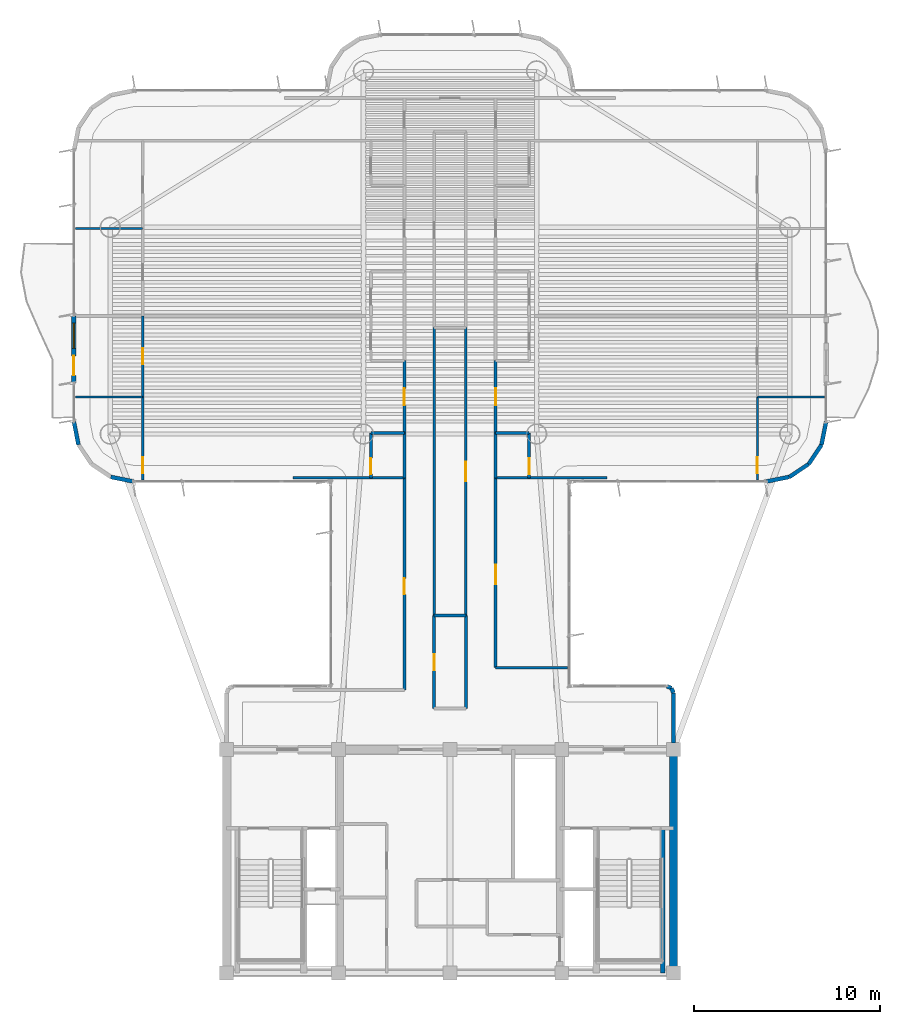
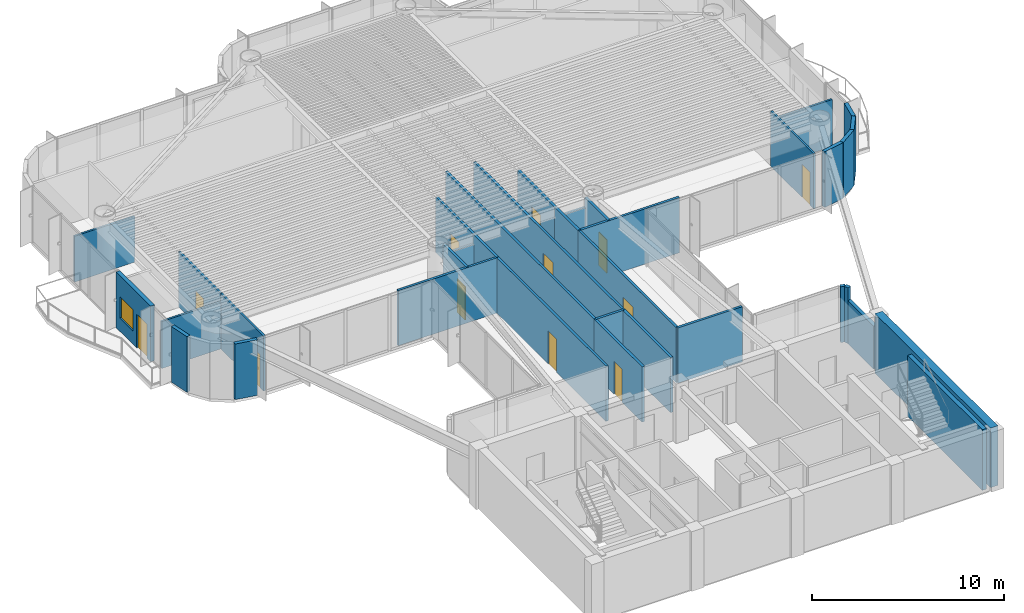
# One storey, part 10 of 15: 36 walls, 12 doors, 1 window, 13 openings.
"""IFC4 building model written with IfcOpenShell, lengths in metres."""

from ifc_helpers import new_model, si_unit, direction, frame, frame_2d, origin, origin_2d, place, context, subcontext, project, spatial, rectangle, extrude, source, transform, mapped, material, layer, layer_set, type_object, element, fill, save


model = new_model("IFC4")

# Units and contexts
model_context = context("Model", 3, precision=1e-05, world=origin(), true_north=direction((0.0, 1.0)))
body_context = subcontext(model_context, "Body", "Model", "MODEL_VIEW")
ifc_project = project(units=[si_unit("LENGTHUNIT", "METRE"), si_unit("AREAUNIT", "SQUARE_METRE"), si_unit("VOLUMEUNIT", "CUBIC_METRE"), si_unit("PLANEANGLEUNIT", "RADIAN"), si_unit("MASSUNIT", "GRAM", prefix="KILO")], contexts=[model_context])

# Site, building, storey
site_placement = place(None, origin())
site = spatial("IfcSite", under=ifc_project, at=site_placement, CompositionType="ELEMENT")
building_placement = place(site_placement, origin())
building = spatial("IfcBuilding", under=site, at=building_placement, Name="Brelvock Crest Care Tower", CompositionType="ELEMENT")
storey_placement = place(building_placement, frame((0.0, 0.0, 163.97998046875)))
storey = spatial("IfcBuildingStorey", under=building, at=storey_placement, Name="L41", CompositionType="ELEMENT", Elevation=163.97998046875)

# Walls
ifc_material_1 = material(Name="Concrete S65 (65 MPa)", Category="concrete")
ifc_layer_1 = layer(ifc_material_1, 0.449951171875, Name="WL-CS3")
ifc_layer_set_1 = layer_set([ifc_layer_1], Name="Concrete S65 (65 MPa)")
wall_type_1 = type_object("IfcWallType", Name="WL-CS3", PredefinedType="SHEAR", material=ifc_layer_set_1)
wall_1_placement = place(storey_placement, frame((48.0, 18.0, 0.0), z_axis=(0.0, 0.0, 1.0), x_axis=(0.0, -1.0, 0.0)))
element("IfcWall", 1, at=wall_1_placement, inside=storey, type_object=wall_type_1, Name="L41 Core East Shear Wall", PredefinedType="SHEAR", context=body_context, shape_type="SweptSolid", body=[
    extrude(rectangle(XDim=12.0, YDim=0.449951171875, at=frame_2d((6.0, 0.0))), origin(), (0.0, 0.0, 1.0), 3.780029296875),
])
ifc_material_2 = material(Name="Concrete S80 (80 MPa)", Category="concrete")
ifc_layer_2 = layer(ifc_material_2, 0.25, Name="WL-CS6")
ifc_layer_set_2 = layer_set([ifc_layer_2], Name="Concrete S80 (80 MPa)")
wall_type_2 = type_object("IfcWallType", Name="WL-CS6", PredefinedType="SHEAR", material=ifc_layer_set_2)
wall_2_placement = place(storey_placement, frame((47.419921875, 6.0, 0.0), z_axis=(0.0, 0.0, 1.0), x_axis=(0.0, 1.0, 0.0)))
element("IfcWall", 2, at=wall_2_placement, inside=storey, type_object=wall_type_2, Name="L41 Core Stair ST-2 East Shear Wall", PredefinedType="SHEAR", context=body_context, shape_type="SweptSolid", body=[
    extrude(rectangle(XDim=7.780029296875, YDim=0.25, at=frame_2d((3.89013671875, 0.0))), origin(), (0.0, 0.0, 1.0), 3.85009765625),
])

# Wall, openings, door, window
ifc_material_3 = material(Name="Precast concrete N40 (40 MPa)", Category="concrete")
ifc_layer_3 = layer(ifc_material_3, 0.239990234375, Name="WL-EX1")
ifc_layer_set_3 = layer_set([ifc_layer_3], Name="Precast concrete N40 (40 MPa)")
wall_type_3 = type_object("IfcWallType", Name="WL-EX1", PredefinedType="SOLIDWALL", material=ifc_layer_set_3)
wall_3_placement = place(storey_placement, frame((15.800048828125, 37.699951171875, 0.0), z_axis=(0.0, 0.0, 1.0), x_axis=(0.0, 1.0, 0.0)))
wall_3 = element("IfcWall", 3, at=wall_3_placement, inside=storey, type_object=wall_type_3, Name="L41 Exterior Spandrel Wall WL-BAL-L41-W", PredefinedType="SOLIDWALL", context=body_context, shape_type="SweptSolid", body=[
    extrude(rectangle(XDim=3.60009765625, YDim=0.239990234375, at=frame_2d((1.800048828125, 0.0))), origin(), (0.0, 0.0, 1.0), 3.530029296875),
])
opening_1_placement = place(wall_3_placement, frame((0.39990234375, 0.0, 0.0)))
opening_1 = element("IfcOpeningElement", 4, at=opening_1_placement, cuts=wall_3, Name="Opening BD-1", PredefinedType="OPENING", context=body_context, shape_type="SweptSolid", body=[
    extrude(rectangle(XDim=1.050048828125, YDim=2.14990234375, at=origin_2d()), frame((0.52490234375, 0.1298828125, 1.074951171875), z_axis=(0.0, -1.0, 0.0), x_axis=(1.0, 0.0, 0.0)), (0.0, 0.0, 1.0), 0.260009765625),
])
opening_2_placement = place(wall_3_placement, frame((1.85009765625, 0.0, 0.85009765625)))
opening_2 = element("IfcOpeningElement", 5, at=opening_2_placement, cuts=wall_3, Name="Opening W-01", PredefinedType="OPENING", context=body_context, shape_type="SweptSolid", body=[
    extrude(rectangle(XDim=1.35009765625, YDim=1.35009765625, at=origin_2d()), frame((0.675048828125, 0.1298828125, 0.675048828125), z_axis=(0.0, -1.0, 0.0), x_axis=(1.0, 0.0, 0.0)), (0.0, 0.0, 1.0), 0.260009765625),
])
ifc_material_4 = material(Name="Dark Glass Double Glazed Low-E", Category="glass")
door_type_1 = type_object("IfcDoorType", Name="DR-BAL1", OperationType="NOTDEFINED", PredefinedType="DOOR", material=ifc_material_4)
shared_shape_1 = source(origin(), body_context, "Body", "SweptSolid", [
    extrude(rectangle(XDim=1.050048828125, YDim=2.14990234375, at=origin_2d()), frame((0.52490234375, 0.02490234375, 1.074951171875), z_axis=(0.0, -1.0, 0.0), x_axis=(1.0, 0.0, 0.0)), (0.0, 0.0, 1.0), 0.050048828125),
])
door_1_placement = place(opening_1_placement, origin())
door_1 = element("IfcDoor", 6, at=door_1_placement, inside=storey, type_object=door_type_1, Name="L41 W Wave Balcony Glazed Door", OperationType="SINGLE_SWING_LEFT", OverallHeight=2.14990234375, OverallWidth=1.050048828125, PredefinedType="DOOR", context=body_context, shape_type="MappedRepresentation", body=[
    mapped(shared_shape_1, transform((0.0, 0.0, 0.0), x_axis=(1.0, 0.0, 0.0), y_axis=(0.0, 1.0, 0.0), z_axis=(0.0, 0.0, 1.0), scale=1.0)),
])
fill(opening_1, door_1)
window_type = type_object("IfcWindowType", Name="WN-EX1", PartitioningType="SINGLE_PANEL", PredefinedType="WINDOW", material=ifc_material_4)
shared_shape_2 = source(origin(), body_context, "Body", "SweptSolid", [
    extrude(rectangle(XDim=1.35009765625, YDim=1.35009765625, at=origin_2d()), frame((0.675048828125, 0.030029296875, 0.675048828125), z_axis=(0.0, -1.0, 0.0), x_axis=(1.0, 0.0, 0.0)), (0.0, 0.0, 1.0), 0.06005859375),
])
window_placement = place(opening_2_placement, origin())
window = element("IfcWindow", 7, at=window_placement, inside=storey, type_object=window_type, Name="L41 W Suite Casement Window", OverallHeight=1.35009765625, OverallWidth=1.35009765625, PartitioningType="SINGLE_PANEL", PredefinedType="WINDOW", context=body_context, shape_type="MappedRepresentation", body=[
    mapped(shared_shape_2, transform((0.0, 0.0, 0.0), x_axis=(1.0, 0.0, 0.0), y_axis=(0.0, 1.0, 0.0), z_axis=(0.0, 0.0, 1.0), scale=1.0)),
])
fill(opening_2, window)

# Walls
ifc_layer_4 = layer(ifc_material_3, 0.215087890625, Name="WL-EX2")
ifc_layer_set_4 = layer_set([ifc_layer_4], Name="Precast concrete N40 (40 MPa)")
wall_type_4 = type_object("IfcWallType", Name="WL-EX2", PredefinedType="SOLIDWALL", material=ifc_layer_set_4)
wall_4_placement = place(storey_placement, frame((47.8974609375, 21.297607421875, 0.0), z_axis=(0.0, 0.0, 1.0), x_axis=(0.382673670509, -0.923883575944, 0.0)))
element("IfcWall", 8, at=wall_4_placement, inside=storey, type_object=wall_type_4, Name="L41 Rounded Corner Wall 00", PredefinedType="SOLIDWALL", context=body_context, shape_type="SweptSolid", body=[
    extrude(rectangle(XDim=0.26806640625, YDim=0.215087890625, at=frame_2d((0.134033203125, 0.0))), origin(), (0.0, 0.0, 1.0), 3.530029296875),
])
wall_5_placement = place(storey_placement, frame((48.0, 21.050048828125, 0.0), z_axis=(0.0, 0.0, 1.0), x_axis=(0.0, -1.0, 0.0)))
element("IfcWall", 9, at=wall_5_placement, inside=storey, type_object=wall_type_4, Name="L41 Rounded Corner Wall 01", PredefinedType="SOLIDWALL", context=body_context, shape_type="SweptSolid", body=[
    extrude(rectangle(XDim=2.695068359375, YDim=0.215087890625, at=frame_2d((1.34765625, 0.0))), origin(), (0.0, 0.0, 1.0), 2.718017578125),
])
for number, where, z_axis, x_axis, name in (
    (10, (19.0, 32.39990234375, 0.0), (0.0, 0.0, 1.0), (-0.980775717779, 0.195138390419, 0.0), "L41 Rounded Corner Wall 13"),
    (11, (16.043701171875, 34.37548828125, 0.0), (0.0, 0.0, 1.0), (-0.195138390419, 0.980775717779, 0.0), "L41 Rounded Corner Wall 16"),
    (12, (56.199951171875, 35.60009765625, 0.0), (0.0, 0.0, 1.0), (-0.195138390419, -0.980775717779, 0.0), "L41 Rounded Corner Wall 40"),
    (13, (55.956298828125, 34.37548828125, 0.0), (0.0, 0.0, 1.0), (-0.555557312883, -0.831478245117, 0.0), "L41 Rounded Corner Wall 41"),
    (14, (55.2626953125, 33.33740234375, 0.0), (0.0, 0.0, 1.0), (-0.831387912822, -0.555692485475, 0.0), "L41 Rounded Corner Wall 42"),
    (15, (54.224609375, 32.6435546875, 0.0), (0.0, 0.0, 1.0), (-0.980775717779, -0.195138390419, 0.0), "L41 Rounded Corner Wall 43"),
):
    element("IfcWall", number, at=place(storey_placement, frame(where, z_axis=z_axis, x_axis=x_axis)), inside=storey, type_object=wall_type_4, Name=name, PredefinedType="SOLIDWALL", context=body_context, shape_type="SweptSolid", body=[
        extrude(rectangle(XDim=1.24853515625, YDim=0.215087890625, at=frame_2d((0.624267578125, 0.0))), origin(), (0.0, 0.0, 1.0), 3.530029296875),
    ])
wall_6_placement = place(storey_placement, frame((47.64990234375, 21.39990234375, 0.0), z_axis=(0.0, 0.0, 1.0), x_axis=(0.924205486139, -0.381895560841, 0.0)))
element("IfcWall", 16, at=wall_6_placement, inside=storey, type_object=wall_type_4, Name="L41 Rounded Corner Wall 47", PredefinedType="SOLIDWALL", context=body_context, shape_type="SweptSolid", body=[
    extrude(rectangle(XDim=0.267822265625, YDim=0.215087890625, at=frame_2d((0.1337890625, 0.0))), origin(), (0.0, 0.0, 1.0), 3.530029296875),
])
ifc_material_5 = material(Name="Masonry Blockwork Acoustic Partition", Category="masonry")
ifc_layer_5 = layer(ifc_material_5, 0.14990234375, Name="WL-INT1")
ifc_layer_set_5 = layer_set([ifc_layer_5], Name="Masonry Blockwork Acoustic Partition")
wall_type_5 = type_object("IfcWallType", Name="WL-INT1", PredefinedType="PARTITIONING", material=ifc_layer_set_5)
wall_7_placement = place(storey_placement, frame((38.449951171875, 22.39990234375, 0.0), z_axis=(0.0, 0.0, 1.0), x_axis=(1.0, 0.0, 0.0)))
element("IfcWall", 17, at=wall_7_placement, inside=storey, type_object=wall_type_5, Name="L41 Interior Wall WL-BX-L41-THRE-S", PredefinedType="PARTITIONING", context=body_context, shape_type="SweptSolid", body=[
    extrude(rectangle(XDim=3.8701171875, YDim=0.14990234375, at=frame_2d((1.93505859375, 0.0))), origin(), (0.0, 0.0, 1.0), 3.5),
])
wall_8_placement = place(storey_placement, frame((27.55712890625, 32.60009765625, 0.0), z_axis=(0.0, 0.0, 1.0), x_axis=(1.0, 0.0, 0.0)))
element("IfcWall", 18, at=wall_8_placement, inside=storey, type_object=wall_type_5, Name="L41 Interior Wall WL-BX-L41-FL-WF1-S2", PredefinedType="PARTITIONING", context=body_context, shape_type="SweptSolid", body=[
    extrude(rectangle(XDim=5.992919921875, YDim=0.14990234375, at=frame_2d((2.99658203125, 0.0))), origin(), (0.0, 0.0, 1.0), 3.5),
])
wall_9_placement = place(storey_placement, frame((38.449951171875, 32.60009765625, 0.0), z_axis=(0.0, 0.0, 1.0), x_axis=(1.0, 0.0, 0.0)))
element("IfcWall", 19, at=wall_9_placement, inside=storey, type_object=wall_type_5, Name="L41 Interior Wall WL-BX-L41-FL-EF1-S", PredefinedType="PARTITIONING", context=body_context, shape_type="SweptSolid", body=[
    extrude(rectangle(XDim=5.993408203125, YDim=0.14990234375, at=frame_2d((2.99658203125, 0.0))), origin(), (0.0, 0.0, 1.0), 3.5),
])

# Wall, opening, door
wall_10_placement = place(storey_placement, frame((33.550048828125, 21.199951171875, 0.0), z_axis=(0.0, 0.0, 1.0), x_axis=(0.0, 1.0, 0.0)))
wall_10 = element("IfcWall", 20, at=wall_10_placement, inside=storey, type_object=wall_type_5, Name="L41 Interior Wall WL-RM-L41-THRW", PredefinedType="PARTITIONING", context=body_context, shape_type="SweptSolid", body=[
    extrude(rectangle(XDim=11.400146484375, YDim=0.14990234375, at=frame_2d((5.7001953125, 0.0))), origin(), (0.0, 0.0, 1.0), 3.5),
])
opening_3_placement = place(wall_10_placement, frame((5.139892578125, 0.0, 0.0)))
opening_3 = element("IfcOpeningElement", 21, at=opening_3_placement, cuts=wall_10, Name="Opening ID-1", PredefinedType="OPENING", context=body_context, shape_type="SweptSolid", body=[
    extrude(rectangle(XDim=0.860107421875, YDim=2.10009765625, at=origin_2d()), frame((0.43017578125, 0.0849609375, 1.050048828125), z_axis=(0.0, -1.0, 0.0), x_axis=(1.0, 0.0, 0.0)), (0.0, 0.0, 1.0), 0.169921875),
])
ifc_material_6 = material(Name="Engineered Hardwood Timber", Category="wood")
door_type_2 = type_object("IfcDoorType", Name="DR-INT1", OperationType="NOTDEFINED", PredefinedType="DOOR", material=ifc_material_6)
shared_shape_3 = source(origin(), body_context, "Body", "SweptSolid", [
    extrude(rectangle(XDim=0.860107421875, YDim=2.10009765625, at=origin_2d()), frame((0.43017578125, 0.02490234375, 1.050048828125), z_axis=(0.0, -1.0, 0.0), x_axis=(1.0, 0.0, 0.0)), (0.0, 0.0, 1.0), 0.050048828125),
])
door_2_placement = place(opening_3_placement, origin())
door_2 = element("IfcDoor", 22, at=door_2_placement, inside=storey, type_object=door_type_2, Name="L41 Quiet Family Consultation Room Door THRW", OperationType="SINGLE_SWING_LEFT", OverallHeight=2.10009765625, OverallWidth=0.860107421875, PredefinedType="DOOR", context=body_context, shape_type="MappedRepresentation", body=[
    mapped(shared_shape_3, transform((0.0, 0.0, 0.0), x_axis=(1.0, 0.0, 0.0), y_axis=(0.0, 1.0, 0.0), z_axis=(0.0, 0.0, 1.0), scale=1.0)),
])
fill(opening_3, door_2)

wall_11_placement = place(storey_placement, frame((33.550048828125, 35.0, 0.0), z_axis=(0.0, 0.0, 1.0), x_axis=(0.0, 1.0, 0.0)))
wall_11 = element("IfcWall", 23, at=wall_11_placement, inside=storey, type_object=wall_type_5, Name="L41 Interior Wall WL-UENT-L41-WF1", PredefinedType="PARTITIONING", context=body_context, shape_type="SweptSolid", body=[
    extrude(rectangle(XDim=3.887939453125, YDim=0.14990234375, at=frame_2d((1.94384765625, 0.0))), origin(), (0.0, 0.0, 1.0), 3.5),
])
opening_4_placement = place(wall_11_placement, frame((1.48388671875, 0.0, 0.0)))
opening_4 = element("IfcOpeningElement", 24, at=opening_4_placement, cuts=wall_11, Name="Opening AD-1", PredefinedType="OPENING", context=body_context, shape_type="SweptSolid", body=[
    extrude(rectangle(XDim=0.919921875, YDim=2.10009765625, at=origin_2d()), frame((0.4599609375, 0.0849609375, 1.050048828125), z_axis=(0.0, -1.0, 0.0), x_axis=(1.0, 0.0, 0.0)), (0.0, 0.0, 1.0), 0.169921875),
])
door_type_3 = type_object("IfcDoorType", Name="DR-APT1", OperationType="NOTDEFINED", PredefinedType="DOOR", material=ifc_material_6)
shared_shape_4 = source(origin(), body_context, "Body", "SweptSolid", [
    extrude(rectangle(XDim=0.919921875, YDim=2.10009765625, at=origin_2d()), frame((0.4599609375, 0.02490234375, 1.050048828125), z_axis=(0.0, -1.0, 0.0), x_axis=(1.0, 0.0, 0.0)), (0.0, 0.0, 1.0), 0.050048828125),
])
door_3_placement = place(opening_4_placement, origin())
door_3 = element("IfcDoor", 25, at=door_3_placement, inside=storey, type_object=door_type_3, Name="L41 Apartment Entrance WF1", OperationType="SINGLE_SWING_LEFT", OverallHeight=2.10009765625, OverallWidth=0.919921875, PredefinedType="DOOR", context=body_context, shape_type="MappedRepresentation", body=[
    mapped(shared_shape_4, transform((0.0, 0.0, 0.0), x_axis=(1.0, 0.0, 0.0), y_axis=(0.0, 1.0, 0.0), z_axis=(0.0, 0.0, 1.0), scale=1.0)),
])
fill(opening_4, door_3)

# Wall
wall_12_placement = place(storey_placement, frame((35.14990234375, 25.199951171875, 0.0), z_axis=(0.0, 0.0, 1.0), x_axis=(0.0, 1.0, 0.0)))
element("IfcWall", 26, at=wall_12_placement, inside=storey, type_object=wall_type_5, Name="L41 Interior Wall WL-BX-L41-ISNS-W", PredefinedType="PARTITIONING", context=body_context, shape_type="SweptSolid", body=[
    extrude(rectangle(XDim=15.4599609375, YDim=0.14990234375, at=frame_2d((7.72998046875, 0.0))), origin(), (0.0, 0.0, 1.0), 3.5),
])

# Wall, opening, door
wall_13_placement = place(storey_placement, frame((36.85009765625, 25.199951171875, 0.0), z_axis=(0.0, 0.0, 1.0), x_axis=(0.0, 1.0, 0.0)))
wall_13 = element("IfcWall", 27, at=wall_13_placement, inside=storey, type_object=wall_type_5, Name="L41 Interior Wall WL-RM-L41-ISNS", PredefinedType="PARTITIONING", context=body_context, shape_type="SweptSolid", body=[
    extrude(rectangle(XDim=15.4599609375, YDim=0.14990234375, at=frame_2d((7.72998046875, 0.0))), origin(), (0.0, 0.0, 1.0), 3.5),
])
opening_5_placement = place(wall_13_placement, frame((7.205078125, 0.0, 0.0)))
opening_5 = element("IfcOpeningElement", 28, at=opening_5_placement, cuts=wall_13, Name="Opening CLD-1", PredefinedType="OPENING", context=body_context, shape_type="SweptSolid", body=[
    extrude(rectangle(XDim=1.050048828125, YDim=2.10009765625, at=origin_2d()), frame((0.52490234375, 0.0849609375, 1.050048828125), z_axis=(0.0, -1.0, 0.0), x_axis=(1.0, 0.0, 0.0)), (0.0, 0.0, 1.0), 0.169921875),
])
door_type_4 = type_object("IfcDoorType", Name="DR-CLN1", OperationType="NOTDEFINED", PredefinedType="DOOR", material=ifc_material_6)
shared_shape_5 = source(origin(), body_context, "Body", "SweptSolid", [
    extrude(rectangle(XDim=1.050048828125, YDim=2.10009765625, at=origin_2d()), frame((0.52490234375, 0.02490234375, 1.050048828125), z_axis=(0.0, -1.0, 0.0), x_axis=(1.0, 0.0, 0.0)), (0.0, 0.0, 1.0), 0.050048828125),
])
door_4_placement = place(opening_5_placement, origin())
door_4 = element("IfcDoor", 29, at=door_4_placement, inside=storey, type_object=door_type_4, Name="L41 Care Concierge and Triage Station Door ISNS", OperationType="SINGLE_SWING_LEFT", OverallHeight=2.10009765625, OverallWidth=1.050048828125, PredefinedType="DOOR", context=body_context, shape_type="MappedRepresentation", body=[
    mapped(shared_shape_5, transform((0.0, 0.0, 0.0), x_axis=(1.0, 0.0, 0.0), y_axis=(0.0, 1.0, 0.0), z_axis=(0.0, 0.0, 1.0), scale=1.0)),
])
fill(opening_5, door_4)

wall_14_placement = place(storey_placement, frame((38.449951171875, 22.39990234375, 0.0), z_axis=(0.0, 0.0, 1.0), x_axis=(0.0, 1.0, 0.0)))
wall_14 = element("IfcWall", 30, at=wall_14_placement, inside=storey, type_object=wall_type_5, Name="L41 Interior Wall WL-RM-L41-THRE", PredefinedType="PARTITIONING", context=body_context, shape_type="SweptSolid", body=[
    extrude(rectangle(XDim=10.2001953125, YDim=0.14990234375, at=frame_2d((5.10009765625, 0.0))), origin(), (0.0, 0.0, 1.0), 3.5),
])
opening_6_placement = place(wall_14_placement, frame((4.47509765625, 0.0, 0.0)))
opening_6 = element("IfcOpeningElement", 31, at=opening_6_placement, cuts=wall_14, Name="Opening CLD-1", PredefinedType="OPENING", context=body_context, shape_type="SweptSolid", body=[
    extrude(rectangle(XDim=1.050048828125, YDim=2.10009765625, at=origin_2d()), frame((0.52490234375, 0.0849609375, 1.050048828125), z_axis=(0.0, -1.0, 0.0), x_axis=(1.0, 0.0, 0.0)), (0.0, 0.0, 1.0), 0.169921875),
])
door_5_placement = place(opening_6_placement, origin())
door_5 = element("IfcDoor", 32, at=door_5_placement, inside=storey, type_object=door_type_4, Name="L41 Allied Health Therapy Room Door THRE", OperationType="SINGLE_SWING_LEFT", OverallHeight=2.10009765625, OverallWidth=1.050048828125, PredefinedType="DOOR", context=body_context, shape_type="MappedRepresentation", body=[
    mapped(shared_shape_5, transform((0.0, 0.0, 0.0), x_axis=(1.0, 0.0, 0.0), y_axis=(0.0, 1.0, 0.0), z_axis=(0.0, 0.0, 1.0), scale=1.0)),
])
fill(opening_6, door_5)

wall_15_placement = place(storey_placement, frame((38.449951171875, 35.0, 0.0), z_axis=(0.0, 0.0, 1.0), x_axis=(0.0, 1.0, 0.0)))
wall_15 = element("IfcWall", 33, at=wall_15_placement, inside=storey, type_object=wall_type_5, Name="L41 Interior Wall WL-UENT-L41-EF1", PredefinedType="PARTITIONING", context=body_context, shape_type="SweptSolid", body=[
    extrude(rectangle(XDim=3.887939453125, YDim=0.14990234375, at=frame_2d((1.94384765625, 0.0))), origin(), (0.0, 0.0, 1.0), 3.5),
])
opening_7_placement = place(wall_15_placement, frame((1.48388671875, 0.0, 0.0)))
opening_7 = element("IfcOpeningElement", 34, at=opening_7_placement, cuts=wall_15, Name="Opening AD-1", PredefinedType="OPENING", context=body_context, shape_type="SweptSolid", body=[
    extrude(rectangle(XDim=0.919921875, YDim=2.10009765625, at=origin_2d()), frame((0.4599609375, 0.0849609375, 1.050048828125), z_axis=(0.0, -1.0, 0.0), x_axis=(1.0, 0.0, 0.0)), (0.0, 0.0, 1.0), 0.169921875),
])
door_6_placement = place(opening_7_placement, origin())
door_6 = element("IfcDoor", 35, at=door_6_placement, inside=storey, type_object=door_type_3, Name="L41 Apartment Entrance EF1", OperationType="SINGLE_SWING_LEFT", OverallHeight=2.10009765625, OverallWidth=0.919921875, PredefinedType="DOOR", context=body_context, shape_type="MappedRepresentation", body=[
    mapped(shared_shape_4, transform((0.0, 0.0, 0.0), x_axis=(1.0, 0.0, 0.0), y_axis=(0.0, 1.0, 0.0), z_axis=(0.0, 0.0, 1.0), scale=1.0)),
])
fill(opening_7, door_6)

# Walls
ifc_material_7 = material(Name="Gypsum Plasterboard Partition", Category="gypsum")
ifc_layer_6 = layer(ifc_material_7, 0.1201171875, Name="WL-INT2")
ifc_layer_set_6 = layer_set([ifc_layer_6], Name="Gypsum Plasterboard Partition")
wall_type_6 = type_object("IfcWallType", Name="WL-INT2", PredefinedType="PARTITIONING", material=ifc_layer_set_6)
for number, where, z_axis, x_axis, name in (
    (36, (15.8798828125, 36.944091796875, 0.0), (0.0, 0.0, 1.0), (1.0, 0.0, 0.0), "L41 Interior Wall WL-UBSP-L41-WF1"),
    (37, (52.510009765625, 36.944091796875, 0.0), (0.0, 0.0, 1.0), (1.0, 0.0, 0.0), "L41 Interior Wall WL-UBSP-L41-EF1"),
):
    element("IfcWall", number, at=place(storey_placement, frame(where, z_axis=z_axis, x_axis=x_axis)), inside=storey, type_object=wall_type_6, Name=name, PredefinedType="PARTITIONING", context=body_context, shape_type="SweptSolid", body=[
        extrude(rectangle(XDim=3.610107421875, YDim=0.1201171875, at=frame_2d((1.80517578125, 0.0))), origin(), (0.0, 0.0, 1.0), 2.98193359375),
    ])
wall_16_placement = place(storey_placement, frame((15.8798828125, 45.993896484375, 0.0), z_axis=(0.0, 0.0, 1.0), x_axis=(1.0, 0.0, 0.0)))
element("IfcWall", 38, at=wall_16_placement, inside=storey, type_object=wall_type_6, Name="L41 Interior Wall WL-UBSP-L41-WF2", PredefinedType="PARTITIONING", context=body_context, shape_type="SweptSolid", body=[
    extrude(rectangle(XDim=3.610107421875, YDim=0.1201171875, at=frame_2d((1.80517578125, 0.0))), origin(), (0.0, 0.0, 1.0), 2.903076171875),
])

# Wall, opening, door
wall_17_placement = place(storey_placement, frame((19.489990234375, 32.47998046875, 0.0), z_axis=(0.0, 0.0, 1.0), x_axis=(0.0, 1.0, 0.0)))
wall_17 = element("IfcWall", 39, at=wall_17_placement, inside=storey, type_object=wall_type_6, Name="L41 Interior Wall WL-UBD1-L41-WF1", PredefinedType="PARTITIONING", context=body_context, shape_type="SweptSolid", body=[
    extrude(rectangle(XDim=4.464111328125, YDim=0.1201171875, at=frame_2d((2.23193359375, 0.0))), origin(), (0.0, 0.0, 1.0), 3.5),
])
opening_8_placement = place(wall_17_placement, frame((0.362060546875, 0.0, 0.0)))
opening_8 = element("IfcOpeningElement", 40, at=opening_8_placement, cuts=wall_17, Name="Opening ID-1", PredefinedType="OPENING", context=body_context, shape_type="SweptSolid", body=[
    extrude(rectangle(XDim=0.860107421875, YDim=2.10009765625, at=origin_2d()), frame((0.43017578125, 0.070068359375, 1.050048828125), z_axis=(0.0, -1.0, 0.0), x_axis=(1.0, 0.0, 0.0)), (0.0, 0.0, 1.0), 0.14013671875),
])
door_7_placement = place(opening_8_placement, origin())
door_7 = element("IfcDoor", 41, at=door_7_placement, inside=storey, type_object=door_type_2, Name="L41 Primary Bedroom Door WF1", OperationType="SINGLE_SWING_RIGHT", OverallHeight=2.10009765625, OverallWidth=0.860107421875, PredefinedType="DOOR", context=body_context, shape_type="MappedRepresentation", body=[
    mapped(shared_shape_3, transform((0.0, 0.0, 0.0), x_axis=(1.0, 0.0, 0.0), y_axis=(0.0, 1.0, 0.0), z_axis=(0.0, 0.0, 1.0), scale=1.0)),
])
fill(opening_8, door_7)

wall_18_placement = place(storey_placement, frame((19.489990234375, 36.944091796875, 0.0), z_axis=(0.0, 0.0, 1.0), x_axis=(0.0, 1.0, 0.0)))
wall_18 = element("IfcWall", 42, at=wall_18_placement, inside=storey, type_object=wall_type_6, Name="L41 Interior Wall WL-UBD2-L41-WF1", PredefinedType="PARTITIONING", context=body_context, shape_type="SweptSolid", body=[
    extrude(rectangle(XDim=4.343994140625, YDim=0.1201171875, at=frame_2d((2.171875, 0.0))), origin(), (0.0, 0.0, 1.0), 3.5),
])
opening_9_placement = place(wall_18_placement, frame((1.741943359375, 0.0, 0.0)))
opening_9 = element("IfcOpeningElement", 43, at=opening_9_placement, cuts=wall_18, Name="Opening ID-1", PredefinedType="OPENING", context=body_context, shape_type="SweptSolid", body=[
    extrude(rectangle(XDim=0.860107421875, YDim=2.10009765625, at=origin_2d()), frame((0.43017578125, 0.070068359375, 1.050048828125), z_axis=(0.0, -1.0, 0.0), x_axis=(1.0, 0.0, 0.0)), (0.0, 0.0, 1.0), 0.14013671875),
])
door_8_placement = place(opening_9_placement, origin())
door_8 = element("IfcDoor", 44, at=door_8_placement, inside=storey, type_object=door_type_2, Name="L41 Second Room Door WF1", OperationType="SINGLE_SWING_LEFT", OverallHeight=2.10009765625, OverallWidth=0.860107421875, PredefinedType="DOOR", context=body_context, shape_type="MappedRepresentation", body=[
    mapped(shared_shape_3, transform((0.0, 0.0, 0.0), x_axis=(1.0, 0.0, 0.0), y_axis=(0.0, 1.0, 0.0), z_axis=(0.0, 0.0, 1.0), scale=1.0)),
])
fill(opening_9, door_8)

wall_19_placement = place(storey_placement, frame((52.510009765625, 32.47998046875, 0.0), z_axis=(0.0, 0.0, 1.0), x_axis=(0.0, 1.0, 0.0)))
wall_19 = element("IfcWall", 45, at=wall_19_placement, inside=storey, type_object=wall_type_6, Name="L41 Interior Wall WL-UBD1-L41-EF1", PredefinedType="PARTITIONING", context=body_context, shape_type="SweptSolid", body=[
    extrude(rectangle(XDim=4.464111328125, YDim=0.1201171875, at=frame_2d((2.23193359375, 0.0))), origin(), (0.0, 0.0, 1.0), 3.5),
])
opening_10_placement = place(wall_19_placement, frame((0.362060546875, 0.0, 0.0)))
opening_10 = element("IfcOpeningElement", 46, at=opening_10_placement, cuts=wall_19, Name="Opening ID-1", PredefinedType="OPENING", context=body_context, shape_type="SweptSolid", body=[
    extrude(rectangle(XDim=0.860107421875, YDim=2.10009765625, at=origin_2d()), frame((0.43017578125, 0.070068359375, 1.050048828125), z_axis=(0.0, -1.0, 0.0), x_axis=(1.0, 0.0, 0.0)), (0.0, 0.0, 1.0), 0.14013671875),
])
door_9_placement = place(opening_10_placement, origin())
door_9 = element("IfcDoor", 47, at=door_9_placement, inside=storey, type_object=door_type_2, Name="L41 Primary Bedroom Door EF1", OperationType="SINGLE_SWING_RIGHT", OverallHeight=2.10009765625, OverallWidth=0.860107421875, PredefinedType="DOOR", context=body_context, shape_type="MappedRepresentation", body=[
    mapped(shared_shape_3, transform((0.0, 0.0, 0.0), x_axis=(1.0, 0.0, 0.0), y_axis=(0.0, 1.0, 0.0), z_axis=(0.0, 0.0, 1.0), scale=1.0)),
])
fill(opening_10, door_9)

# Walls
ifc_layer_7 = layer(ifc_material_7, 0.159912109375, Name="WL-PLM1")
ifc_layer_set_7 = layer_set([ifc_layer_7], Name="Gypsum Plasterboard Partition")
wall_type_7 = type_object("IfcWallType", Name="WL-PLM1", PredefinedType="PLUMBINGWALL", material=ifc_layer_set_7)
wall_20_placement = place(storey_placement, frame((35.14990234375, 25.199951171875, 0.0), z_axis=(0.0, 0.0, 1.0), x_axis=(1.0, 0.0, 0.0)))
element("IfcWall", 48, at=wall_20_placement, inside=storey, type_object=wall_type_7, Name="L41 Interior Wall WL-BX-L41-ISNS-S", PredefinedType="PLUMBINGWALL", context=body_context, shape_type="SweptSolid", body=[
    extrude(rectangle(XDim=1.7001953125, YDim=0.159912109375, at=frame_2d((0.85009765625, 0.0))), origin(), (0.0, 0.0, 1.0), 3.5),
])
for number, where, z_axis, x_axis, name in (
    (49, (31.75, 35.0, 0.0), (0.0, 0.0, 1.0), (1.0, 0.0, 0.0), "L41 Interior Wall WL-UBTH2-L41-WF1"),
    (50, (38.449951171875, 35.0, 0.0), (0.0, 0.0, 1.0), (1.0, 0.0, 0.0), "L41 Interior Wall WL-UBTH2-L41-EF1"),
):
    element("IfcWall", number, at=place(storey_placement, frame(where, z_axis=z_axis, x_axis=x_axis)), inside=storey, type_object=wall_type_7, Name=name, PredefinedType="PLUMBINGWALL", context=body_context, shape_type="SweptSolid", body=[
        extrude(rectangle(XDim=1.800048828125, YDim=0.159912109375, at=frame_2d((0.89990234375, 0.0))), origin(), (0.0, 0.0, 1.0), 2.903076171875),
    ])

# Wall, opening, door
wall_21_placement = place(storey_placement, frame((31.75, 32.60009765625, 0.0), z_axis=(0.0, 0.0, 1.0), x_axis=(0.0, 1.0, 0.0)))
wall_21 = element("IfcWall", 51, at=wall_21_placement, inside=storey, type_object=wall_type_7, Name="L41 Interior Wall WL-UBTH1-L41-WF1", PredefinedType="PLUMBINGWALL", context=body_context, shape_type="SweptSolid", body=[
    extrude(rectangle(XDim=2.39990234375, YDim=0.159912109375, at=frame_2d((1.199951171875, 0.0))), origin(), (0.0, 0.0, 1.0), 3.5),
])
opening_11_placement = place(wall_21_placement, frame((0.199951171875, 0.0, 0.0)))
opening_11 = element("IfcOpeningElement", 52, at=opening_11_placement, cuts=wall_21, Name="Opening WD-1", PredefinedType="OPENING", context=body_context, shape_type="SweptSolid", body=[
    extrude(rectangle(XDim=0.860107421875, YDim=2.10009765625, at=origin_2d()), frame((0.43017578125, 0.08984375, 1.050048828125), z_axis=(0.0, -1.0, 0.0), x_axis=(1.0, 0.0, 0.0)), (0.0, 0.0, 1.0), 0.179931640625),
])
door_type_5 = type_object("IfcDoorType", Name="DR-WC1", OperationType="NOTDEFINED", PredefinedType="DOOR", material=ifc_material_6)
shared_shape_6 = source(origin(), body_context, "Body", "SweptSolid", [
    extrude(rectangle(XDim=0.860107421875, YDim=2.10009765625, at=origin_2d()), frame((0.43017578125, 0.02490234375, 1.050048828125), z_axis=(0.0, -1.0, 0.0), x_axis=(1.0, 0.0, 0.0)), (0.0, 0.0, 1.0), 0.050048828125),
])
door_10_placement = place(opening_11_placement, origin())
door_10 = element("IfcDoor", 53, at=door_10_placement, inside=storey, type_object=door_type_5, Name="L41 Bathroom Door WF1", OperationType="SINGLE_SWING_LEFT", OverallHeight=2.10009765625, OverallWidth=0.860107421875, PredefinedType="DOOR", context=body_context, shape_type="MappedRepresentation", body=[
    mapped(shared_shape_6, transform((0.0, 0.0, 0.0), x_axis=(1.0, 0.0, 0.0), y_axis=(0.0, 1.0, 0.0), z_axis=(0.0, 0.0, 1.0), scale=1.0)),
])
fill(opening_11, door_10)

# Wall
wall_22_placement = place(storey_placement, frame((33.550048828125, 32.60009765625, 0.0), z_axis=(0.0, 0.0, 1.0), x_axis=(0.0, 1.0, 0.0)))
element("IfcWall", 54, at=wall_22_placement, inside=storey, type_object=wall_type_7, Name="L41 Interior Wall WL-UCB-L41-WF1", PredefinedType="PLUMBINGWALL", context=body_context, shape_type="SweptSolid", body=[
    extrude(rectangle(XDim=2.39990234375, YDim=0.159912109375, at=frame_2d((1.199951171875, 0.0))), origin(), (0.0, 0.0, 1.0), 3.5),
])

# Wall, opening, door
wall_23_placement = place(storey_placement, frame((35.14990234375, 20.199951171875, 0.0), z_axis=(0.0, 0.0, 1.0), x_axis=(0.0, 1.0, 0.0)))
wall_23 = element("IfcWall", 55, at=wall_23_placement, inside=storey, type_object=wall_type_7, Name="L41 Interior Wall WL-RM-L41-ISWC", PredefinedType="PLUMBINGWALL", context=body_context, shape_type="SweptSolid", body=[
    extrude(rectangle(XDim=5.0, YDim=0.159912109375, at=frame_2d((2.5, 0.0))), origin(), (0.0, 0.0, 1.0), 3.5),
])
opening_12_placement = place(wall_23_placement, frame((2.070068359375, 0.0, 0.0)))
opening_12 = element("IfcOpeningElement", 56, at=opening_12_placement, cuts=wall_23, Name="Opening WD-1", PredefinedType="OPENING", context=body_context, shape_type="SweptSolid", body=[
    extrude(rectangle(XDim=0.860107421875, YDim=2.10009765625, at=origin_2d()), frame((0.43017578125, 0.08984375, 1.050048828125), z_axis=(0.0, -1.0, 0.0), x_axis=(1.0, 0.0, 0.0)), (0.0, 0.0, 1.0), 0.179931640625),
])
door_11_placement = place(opening_12_placement, origin())
door_11 = element("IfcDoor", 57, at=door_11_placement, inside=storey, type_object=door_type_5, Name="L41 High-Zone Accessible WC Door ISWC", OperationType="SINGLE_SWING_LEFT", OverallHeight=2.10009765625, OverallWidth=0.860107421875, PredefinedType="DOOR", context=body_context, shape_type="MappedRepresentation", body=[
    mapped(shared_shape_6, transform((0.0, 0.0, 0.0), x_axis=(1.0, 0.0, 0.0), y_axis=(0.0, 1.0, 0.0), z_axis=(0.0, 0.0, 1.0), scale=1.0)),
])
fill(opening_12, door_11)

# Walls
wall_24_placement = place(storey_placement, frame((36.85009765625, 20.199951171875, 0.0), z_axis=(0.0, 0.0, 1.0), x_axis=(0.0, 1.0, 0.0)))
element("IfcWall", 58, at=wall_24_placement, inside=storey, type_object=wall_type_7, Name="L41 Interior Wall WL-BX-L41-ISWC-E", PredefinedType="PLUMBINGWALL", context=body_context, shape_type="SweptSolid", body=[
    extrude(rectangle(XDim=5.0, YDim=0.159912109375, at=frame_2d((2.5, 0.0))), origin(), (0.0, 0.0, 1.0), 3.5),
])
wall_25_placement = place(storey_placement, frame((38.449951171875, 32.60009765625, 0.0), z_axis=(0.0, 0.0, 1.0), x_axis=(0.0, 1.0, 0.0)))
element("IfcWall", 59, at=wall_25_placement, inside=storey, type_object=wall_type_7, Name="L41 Interior Wall WL-UCB-L41-EF1", PredefinedType="PLUMBINGWALL", context=body_context, shape_type="SweptSolid", body=[
    extrude(rectangle(XDim=2.39990234375, YDim=0.159912109375, at=frame_2d((1.199951171875, 0.0))), origin(), (0.0, 0.0, 1.0), 3.5),
])

# Wall, opening, door
wall_26_placement = place(storey_placement, frame((40.25, 32.60009765625, 0.0), z_axis=(0.0, 0.0, 1.0), x_axis=(0.0, 1.0, 0.0)))
wall_26 = element("IfcWall", 60, at=wall_26_placement, inside=storey, type_object=wall_type_7, Name="L41 Interior Wall WL-UBTH1-L41-EF1", PredefinedType="PLUMBINGWALL", context=body_context, shape_type="SweptSolid", body=[
    extrude(rectangle(XDim=2.39990234375, YDim=0.159912109375, at=frame_2d((1.199951171875, 0.0))), origin(), (0.0, 0.0, 1.0), 3.5),
])
opening_13_placement = place(wall_26_placement, frame((0.199951171875, 0.0, 0.0)))
opening_13 = element("IfcOpeningElement", 61, at=opening_13_placement, cuts=wall_26, Name="Opening WD-1", PredefinedType="OPENING", context=body_context, shape_type="SweptSolid", body=[
    extrude(rectangle(XDim=0.860107421875, YDim=2.10009765625, at=origin_2d()), frame((0.43017578125, 0.08984375, 1.050048828125), z_axis=(0.0, -1.0, 0.0), x_axis=(1.0, 0.0, 0.0)), (0.0, 0.0, 1.0), 0.179931640625),
])
door_12_placement = place(opening_13_placement, origin())
door_12 = element("IfcDoor", 62, at=door_12_placement, inside=storey, type_object=door_type_5, Name="L41 Bathroom Door EF1", OperationType="SINGLE_SWING_LEFT", OverallHeight=2.10009765625, OverallWidth=0.860107421875, PredefinedType="DOOR", context=body_context, shape_type="MappedRepresentation", body=[
    mapped(shared_shape_6, transform((0.0, 0.0, 0.0), x_axis=(1.0, 0.0, 0.0), y_axis=(0.0, 1.0, 0.0), z_axis=(0.0, 0.0, 1.0), scale=1.0)),
])
fill(opening_13, door_12)

save(model, "model.ifc")
